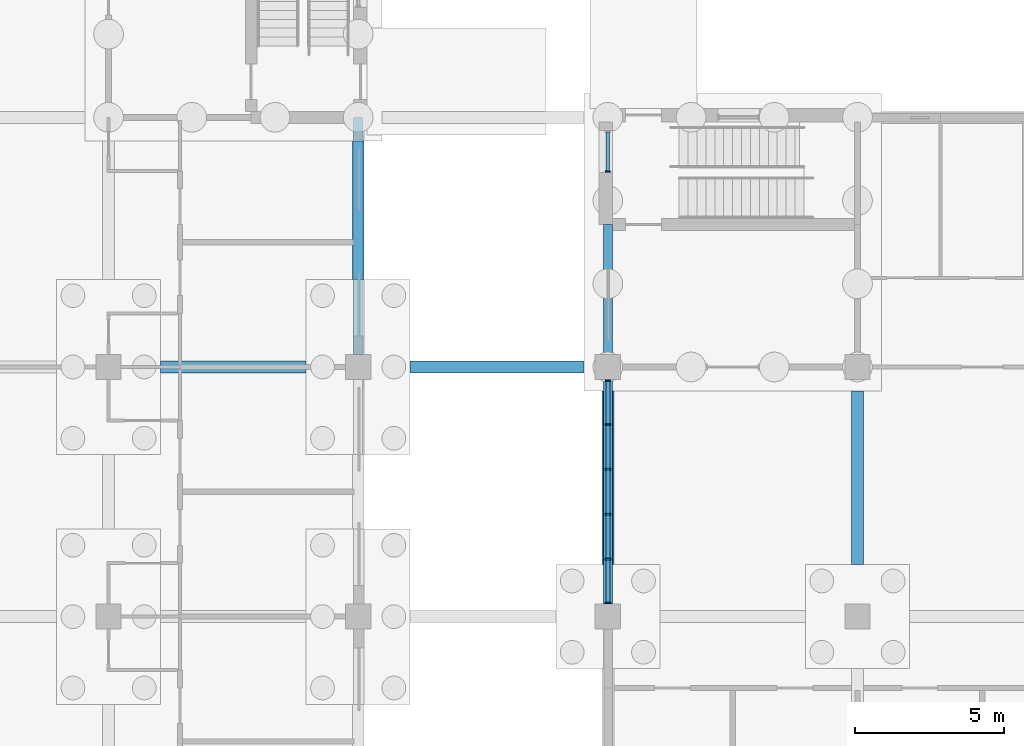
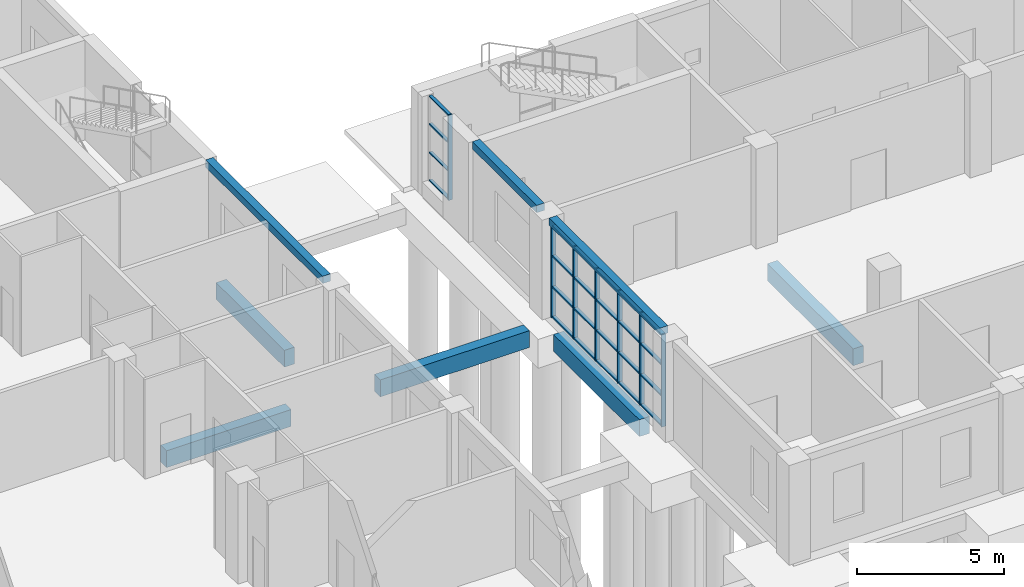
# One storey, part 44 of 138: 31 members, 8 beams, 2 elements without a shape of their own.
"""IFC4 building model written with IfcOpenShell, lengths in metres."""

from ifc_helpers import new_model, si_unit, direction, frame, origin, origin_2d, place, context, subcontext, project, spatial, rectangle, extrude, material, material_profile, profile_set, type_object, element, aggregate, save


model = new_model("IFC4")

# Units and contexts
model_context = context("Model", 3, precision=1e-05, world=origin(), true_north=direction((0.0, 1.0)))
body_context = subcontext(model_context, "Body", "Model", "MODEL_VIEW")
ifc_project = project(units=[si_unit("LENGTHUNIT", "METRE"), si_unit("AREAUNIT", "SQUARE_METRE"), si_unit("VOLUMEUNIT", "CUBIC_METRE"), si_unit("PLANEANGLEUNIT", "RADIAN"), si_unit("MASSUNIT", "GRAM", prefix="KILO")], contexts=[model_context])

# Site, building, storey
site_placement = place(None, origin())
site = spatial("IfcSite", under=ifc_project, at=site_placement, CompositionType="ELEMENT")
building_placement = place(site_placement, origin())
building = spatial("IfcBuilding", under=site, at=building_placement, Name="Yavir Park General Hospital", CompositionType="ELEMENT")
storey_placement = place(building_placement, origin())
storey = spatial("IfcBuildingStorey", under=building, at=storey_placement, Name="L00", CompositionType="ELEMENT", Elevation=0.0)

# Beams
ifc_material_1 = material(Name="Concrete C35/45", Category="concrete")
ifc_material_profile_1 = material_profile(ifc_material_1, rectangle(XDim=0.300048828125, YDim=0.300048828125, at=origin_2d()), Name="RC300x300")
ifc_profile_set_1 = profile_set([ifc_material_profile_1], Name="Concrete C35/45")
beam_type_1 = type_object("IfcBeamType", Name="RC BEAM 300x300 edge beam", PredefinedType="BEAM", material=ifc_profile_set_1)
beam_1_placement = place(storey_placement, frame((25.199951171875, 67.625, 3.989990234375), z_axis=(0.0, 1.0, 0.0), x_axis=(-1.0, 0.0, 0.0)))
element("IfcBeam", 1, at=beam_1_placement, inside=storey, type_object=beam_type_1, Name="B:EDGE:L00:038", PredefinedType="BEAM", context=body_context, shape_type="SweptSolid", body=[
    extrude(rectangle(XDim=0.300048828125, YDim=0.300048828125, at=origin_2d()), origin(), (0.0, 0.0, 1.0), 7.97509765625),
])
beam_2_placement = place(storey_placement, frame((33.60009765625, 59.22509765625, 3.989990234375), z_axis=(0.0, 1.0, 0.0), x_axis=(-1.0, 0.0, 0.0)))
element("IfcBeam", 2, at=beam_2_placement, inside=storey, type_object=beam_type_1, Name="B:EDGE:L00:043", PredefinedType="BEAM", context=body_context, shape_type="SweptSolid", body=[
    extrude(rectangle(XDim=0.300048828125, YDim=0.300048828125, at=origin_2d()), origin(), (0.0, 0.0, 1.0), 7.5498046875),
])
beam_3_placement = place(storey_placement, frame((33.60009765625, 67.625, 3.989990234375), z_axis=(0.0, 1.0, 0.0), x_axis=(-1.0, 0.0, 0.0)))
element("IfcBeam", 3, at=beam_3_placement, inside=storey, type_object=beam_type_1, Name="B:EDGE:L00:044", PredefinedType="BEAM", context=body_context, shape_type="SweptSolid", body=[
    extrude(rectangle(XDim=0.300048828125, YDim=0.300048828125, at=origin_2d()), origin(), (0.0, 0.0, 1.0), 4.375),
])
ifc_material_2 = material(Name="Concrete C35/45", Category="concrete")
ifc_material_profile_2 = material_profile(ifc_material_2, rectangle(XDim=0.39990234375, YDim=0.699951171875, at=origin_2d()), Name="RC400x700")
ifc_profile_set_2 = profile_set([ifc_material_profile_2], Name="Concrete C35/45")
beam_type_2 = type_object("IfcBeamType", Name="RC BEAM 400x700 ground beam", PredefinedType="BEAM", material=ifc_profile_set_2)
beam_4_placement = place(storey_placement, frame((18.550048828125, 67.199951171875, -0.800048828125), z_axis=(1.0, 0.0, 0.0), x_axis=(0.0, 1.0, 0.0)))
element("IfcBeam", 4, at=beam_4_placement, inside=storey, type_object=beam_type_2, Name="B:GND:L00:3J:L00:4J", PredefinedType="BEAM", context=body_context, shape_type="SweptSolid", body=[
    extrude(rectangle(XDim=0.39990234375, YDim=0.699951171875, at=origin_2d()), origin(), (0.0, 0.0, 1.0), 4.89990234375),
])
beam_5_placement = place(storey_placement, frame((26.949951171875, 67.199951171875, -0.800048828125), z_axis=(1.0, 0.0, 0.0), x_axis=(0.0, 1.0, 0.0)))
element("IfcBeam", 5, at=beam_5_placement, inside=storey, type_object=beam_type_2, Name="B:GND:L00:4J:L00:CS1", PredefinedType="BEAM", context=body_context, shape_type="SweptSolid", body=[
    extrude(rectangle(XDim=0.39990234375, YDim=0.699951171875, at=origin_2d()), origin(), (0.0, 0.0, 1.0), 5.85009765625),
])
beam_6_placement = place(storey_placement, frame((25.199951171875, 70.14990234375, -0.800048828125), z_axis=(0.0, 1.0, 0.0), x_axis=(-1.0, 0.0, 0.0)))
element("IfcBeam", 6, at=beam_6_placement, inside=storey, type_object=beam_type_2, Name="B:GND:L00:4J:L00:SW2", PredefinedType="BEAM", context=body_context, shape_type="SweptSolid", body=[
    extrude(rectangle(XDim=0.39990234375, YDim=0.699951171875, at=origin_2d()), origin(), (0.0, 0.0, 1.0), 4.650146484375),
])
for number, where, z_axis, x_axis, name in (
    (7, (33.60009765625, 60.550048828125, -0.800048828125), (0.0, 1.0, 0.0), (-1.0, 0.0, 0.0), "B:GND:L00:5H:L00:CS1"),
    (8, (42.0, 60.550048828125, -0.800048828125), (0.0, 1.0, 0.0), (-1.0, 0.0, 0.0), "B:GND:L00:6H:L00:CS1"),
):
    element("IfcBeam", number, at=place(storey_placement, frame(where, z_axis=z_axis, x_axis=x_axis)), inside=storey, type_object=beam_type_2, Name=name, PredefinedType="BEAM", context=body_context, shape_type="SweptSolid", body=[
        extrude(rectangle(XDim=0.39990234375, YDim=0.699951171875, at=origin_2d()), origin(), (0.0, 0.0, 1.0), 5.849853515625),
    ])

# Curtain wall, members
ifc_material_3 = material(Name="Aluminium curtain wall frame with insulated glazing", Category="aluminium")
curtain_wall_type_1 = type_object("IfcCurtainWallType", Name="Reception glazing, 3840 high, 1400 module", PredefinedType="NOTDEFINED", material=ifc_material_3)
curtain_wall_1_placement = place(storey_placement, origin())
curtain_wall_1 = element("IfcCurtainWall", 9, at=curtain_wall_1_placement, inside=storey, type_object=curtain_wall_type_1, Name="CW8 L00-045", PredefinedType="NOTDEFINED")
ifc_material_4 = material(Name="Aluminium", Category="aluminium")
ifc_material_profile_3 = material_profile(ifc_material_4, rectangle(XDim=0.179931640625, YDim=0.06005859375, at=origin_2d()), Name="AL 60x180")
ifc_profile_set_3 = profile_set([ifc_material_profile_3], Name="Aluminium")
member_type_1 = type_object("IfcMemberType", Name="Reception glazing, 3840 high mullion 60 x 180", PredefinedType="MULLION", material=ifc_profile_set_3)
member_1_placement = place(storey_placement, frame((33.60009765625, 59.2548828125, 0.0), z_axis=(0.0, 0.0, 1.0), x_axis=(-1.0, 0.0, 0.0)))
member_1 = element("IfcMember", 10, at=member_1_placement, type_object=member_type_1, Name="CW8 mullion 1", PredefinedType="MULLION", context=body_context, shape_type="SweptSolid", body=[
    extrude(rectangle(XDim=0.179931640625, YDim=0.06005859375, at=origin_2d()), origin(), (0.0, 0.0, 1.0), 3.840087890625),
])
member_2_placement = place(storey_placement, frame((33.60009765625, 60.735107421875, 0.0), z_axis=(0.0, 0.0, 1.0), x_axis=(-1.0, 0.0, 0.0)))
member_2 = element("IfcMember", 11, at=member_2_placement, type_object=member_type_1, Name="CW8 mullion 2", PredefinedType="MULLION", context=body_context, shape_type="SweptSolid", body=[
    extrude(rectangle(XDim=0.179931640625, YDim=0.06005859375, at=origin_2d()), origin(), (0.0, 0.0, 1.0), 3.840087890625),
])
member_3_placement = place(storey_placement, frame((33.60009765625, 62.2451171875, 0.0), z_axis=(0.0, 0.0, 1.0), x_axis=(-1.0, 0.0, 0.0)))
member_3 = element("IfcMember", 12, at=member_3_placement, type_object=member_type_1, Name="CW8 mullion 3", PredefinedType="MULLION", context=body_context, shape_type="SweptSolid", body=[
    extrude(rectangle(XDim=0.179931640625, YDim=0.06005859375, at=origin_2d()), origin(), (0.0, 0.0, 1.0), 3.840087890625),
])
member_4_placement = place(storey_placement, frame((33.60009765625, 63.7548828125, 0.0), z_axis=(0.0, 0.0, 1.0), x_axis=(-1.0, 0.0, 0.0)))
member_4 = element("IfcMember", 13, at=member_4_placement, type_object=member_type_1, Name="CW8 mullion 4", PredefinedType="MULLION", context=body_context, shape_type="SweptSolid", body=[
    extrude(rectangle(XDim=0.179931640625, YDim=0.06005859375, at=origin_2d()), origin(), (0.0, 0.0, 1.0), 3.840087890625),
])
member_5_placement = place(storey_placement, frame((33.60009765625, 65.264892578125, 0.0), z_axis=(0.0, 0.0, 1.0), x_axis=(-1.0, 0.0, 0.0)))
member_5 = element("IfcMember", 14, at=member_5_placement, type_object=member_type_1, Name="CW8 mullion 5", PredefinedType="MULLION", context=body_context, shape_type="SweptSolid", body=[
    extrude(rectangle(XDim=0.179931640625, YDim=0.06005859375, at=origin_2d()), origin(), (0.0, 0.0, 1.0), 3.840087890625),
])
member_6_placement = place(storey_placement, frame((33.60009765625, 66.7451171875, 0.0), z_axis=(0.0, 0.0, 1.0), x_axis=(-1.0, 0.0, 0.0)))
member_6 = element("IfcMember", 15, at=member_6_placement, type_object=member_type_1, Name="CW8 mullion 6", PredefinedType="MULLION", context=body_context, shape_type="SweptSolid", body=[
    extrude(rectangle(XDim=0.179931640625, YDim=0.06005859375, at=origin_2d()), origin(), (0.0, 0.0, 1.0), 3.840087890625),
])
ifc_material_5 = material(Name="Aluminium", Category="aluminium")
ifc_material_profile_4 = material_profile(ifc_material_5, rectangle(XDim=0.139892578125, YDim=0.06005859375, at=origin_2d()), Name="AL 140x60")
ifc_profile_set_4 = profile_set([ifc_material_profile_4], Name="Aluminium")
member_type_2 = type_object("IfcMemberType", Name="Reception glazing, 3840 high transom 60 x 140", PredefinedType="MULLION", material=ifc_profile_set_4)
member_7_placement = place(storey_placement, frame((33.60009765625, 59.284912109375, 0.030029296875), z_axis=(0.0, 1.0, 0.0), x_axis=(-1.0, 0.0, 0.0)))
member_7 = element("IfcMember", 16, at=member_7_placement, type_object=member_type_2, Name="CW8 transom 1.1", PredefinedType="MULLION", context=body_context, shape_type="SweptSolid", body=[
    extrude(rectangle(XDim=0.139892578125, YDim=0.06005859375, at=origin_2d()), origin(), (0.0, 0.0, 1.0), 1.420166015625),
])
member_8_placement = place(storey_placement, frame((33.60009765625, 59.284912109375, 1.280029296875), z_axis=(0.0, 1.0, 0.0), x_axis=(-1.0, 0.0, 0.0)))
member_8 = element("IfcMember", 17, at=member_8_placement, type_object=member_type_2, Name="CW8 transom 1.2", PredefinedType="MULLION", context=body_context, shape_type="SweptSolid", body=[
    extrude(rectangle(XDim=0.139892578125, YDim=0.06005859375, at=origin_2d()), origin(), (0.0, 0.0, 1.0), 1.420166015625),
])
member_9_placement = place(storey_placement, frame((33.60009765625, 59.284912109375, 2.56005859375), z_axis=(0.0, 1.0, 0.0), x_axis=(-1.0, 0.0, 0.0)))
member_9 = element("IfcMember", 18, at=member_9_placement, type_object=member_type_2, Name="CW8 transom 1.3", PredefinedType="MULLION", context=body_context, shape_type="SweptSolid", body=[
    extrude(rectangle(XDim=0.139892578125, YDim=0.06005859375, at=origin_2d()), origin(), (0.0, 0.0, 1.0), 1.420166015625),
])
member_10_placement = place(storey_placement, frame((33.60009765625, 59.284912109375, 3.81005859375), z_axis=(0.0, 1.0, 0.0), x_axis=(-1.0, 0.0, 0.0)))
member_10 = element("IfcMember", 19, at=member_10_placement, type_object=member_type_2, Name="CW8 transom 1.4", PredefinedType="MULLION", context=body_context, shape_type="SweptSolid", body=[
    extrude(rectangle(XDim=0.139892578125, YDim=0.06005859375, at=origin_2d()), origin(), (0.0, 0.0, 1.0), 1.420166015625),
])
member_11_placement = place(storey_placement, frame((33.60009765625, 60.764892578125, 0.030029296875), z_axis=(0.0, 1.0, 0.0), x_axis=(-1.0, 0.0, 0.0)))
member_11 = element("IfcMember", 20, at=member_11_placement, type_object=member_type_2, Name="CW8 transom 2.1", PredefinedType="MULLION", context=body_context, shape_type="SweptSolid", body=[
    extrude(rectangle(XDim=0.139892578125, YDim=0.06005859375, at=origin_2d()), origin(), (0.0, 0.0, 1.0), 1.4501953125),
])
member_12_placement = place(storey_placement, frame((33.60009765625, 60.764892578125, 1.280029296875), z_axis=(0.0, 1.0, 0.0), x_axis=(-1.0, 0.0, 0.0)))
member_12 = element("IfcMember", 21, at=member_12_placement, type_object=member_type_2, Name="CW8 transom 2.2", PredefinedType="MULLION", context=body_context, shape_type="SweptSolid", body=[
    extrude(rectangle(XDim=0.139892578125, YDim=0.06005859375, at=origin_2d()), origin(), (0.0, 0.0, 1.0), 1.4501953125),
])
member_13_placement = place(storey_placement, frame((33.60009765625, 60.764892578125, 2.56005859375), z_axis=(0.0, 1.0, 0.0), x_axis=(-1.0, 0.0, 0.0)))
member_13 = element("IfcMember", 22, at=member_13_placement, type_object=member_type_2, Name="CW8 transom 2.3", PredefinedType="MULLION", context=body_context, shape_type="SweptSolid", body=[
    extrude(rectangle(XDim=0.139892578125, YDim=0.06005859375, at=origin_2d()), origin(), (0.0, 0.0, 1.0), 1.4501953125),
])
member_14_placement = place(storey_placement, frame((33.60009765625, 60.764892578125, 3.81005859375), z_axis=(0.0, 1.0, 0.0), x_axis=(-1.0, 0.0, 0.0)))
member_14 = element("IfcMember", 23, at=member_14_placement, type_object=member_type_2, Name="CW8 transom 2.4", PredefinedType="MULLION", context=body_context, shape_type="SweptSolid", body=[
    extrude(rectangle(XDim=0.139892578125, YDim=0.06005859375, at=origin_2d()), origin(), (0.0, 0.0, 1.0), 1.4501953125),
])
member_15_placement = place(storey_placement, frame((33.60009765625, 62.27490234375, 0.030029296875), z_axis=(0.0, 1.0, 0.0), x_axis=(-1.0, 0.0, 0.0)))
member_15 = element("IfcMember", 24, at=member_15_placement, type_object=member_type_2, Name="CW8 transom 3.1", PredefinedType="MULLION", context=body_context, shape_type="SweptSolid", body=[
    extrude(rectangle(XDim=0.139892578125, YDim=0.06005859375, at=origin_2d()), origin(), (0.0, 0.0, 1.0), 1.4501953125),
])
member_16_placement = place(storey_placement, frame((33.60009765625, 62.27490234375, 1.280029296875), z_axis=(0.0, 1.0, 0.0), x_axis=(-1.0, 0.0, 0.0)))
member_16 = element("IfcMember", 25, at=member_16_placement, type_object=member_type_2, Name="CW8 transom 3.2", PredefinedType="MULLION", context=body_context, shape_type="SweptSolid", body=[
    extrude(rectangle(XDim=0.139892578125, YDim=0.06005859375, at=origin_2d()), origin(), (0.0, 0.0, 1.0), 1.4501953125),
])
member_17_placement = place(storey_placement, frame((33.60009765625, 62.27490234375, 2.56005859375), z_axis=(0.0, 1.0, 0.0), x_axis=(-1.0, 0.0, 0.0)))
member_17 = element("IfcMember", 26, at=member_17_placement, type_object=member_type_2, Name="CW8 transom 3.3", PredefinedType="MULLION", context=body_context, shape_type="SweptSolid", body=[
    extrude(rectangle(XDim=0.139892578125, YDim=0.06005859375, at=origin_2d()), origin(), (0.0, 0.0, 1.0), 1.4501953125),
])
member_18_placement = place(storey_placement, frame((33.60009765625, 62.27490234375, 3.81005859375), z_axis=(0.0, 1.0, 0.0), x_axis=(-1.0, 0.0, 0.0)))
member_18 = element("IfcMember", 27, at=member_18_placement, type_object=member_type_2, Name="CW8 transom 3.4", PredefinedType="MULLION", context=body_context, shape_type="SweptSolid", body=[
    extrude(rectangle(XDim=0.139892578125, YDim=0.06005859375, at=origin_2d()), origin(), (0.0, 0.0, 1.0), 1.4501953125),
])
member_19_placement = place(storey_placement, frame((33.60009765625, 63.784912109375, 0.030029296875), z_axis=(0.0, 1.0, 0.0), x_axis=(-1.0, 0.0, 0.0)))
member_19 = element("IfcMember", 28, at=member_19_placement, type_object=member_type_2, Name="CW8 transom 4.1", PredefinedType="MULLION", context=body_context, shape_type="SweptSolid", body=[
    extrude(rectangle(XDim=0.139892578125, YDim=0.06005859375, at=origin_2d()), origin(), (0.0, 0.0, 1.0), 1.4501953125),
])
member_20_placement = place(storey_placement, frame((33.60009765625, 63.784912109375, 1.280029296875), z_axis=(0.0, 1.0, 0.0), x_axis=(-1.0, 0.0, 0.0)))
member_20 = element("IfcMember", 29, at=member_20_placement, type_object=member_type_2, Name="CW8 transom 4.2", PredefinedType="MULLION", context=body_context, shape_type="SweptSolid", body=[
    extrude(rectangle(XDim=0.139892578125, YDim=0.06005859375, at=origin_2d()), origin(), (0.0, 0.0, 1.0), 1.4501953125),
])
member_21_placement = place(storey_placement, frame((33.60009765625, 63.784912109375, 2.56005859375), z_axis=(0.0, 1.0, 0.0), x_axis=(-1.0, 0.0, 0.0)))
member_21 = element("IfcMember", 30, at=member_21_placement, type_object=member_type_2, Name="CW8 transom 4.3", PredefinedType="MULLION", context=body_context, shape_type="SweptSolid", body=[
    extrude(rectangle(XDim=0.139892578125, YDim=0.06005859375, at=origin_2d()), origin(), (0.0, 0.0, 1.0), 1.4501953125),
])
member_22_placement = place(storey_placement, frame((33.60009765625, 63.784912109375, 3.81005859375), z_axis=(0.0, 1.0, 0.0), x_axis=(-1.0, 0.0, 0.0)))
member_22 = element("IfcMember", 31, at=member_22_placement, type_object=member_type_2, Name="CW8 transom 4.4", PredefinedType="MULLION", context=body_context, shape_type="SweptSolid", body=[
    extrude(rectangle(XDim=0.139892578125, YDim=0.06005859375, at=origin_2d()), origin(), (0.0, 0.0, 1.0), 1.4501953125),
])
member_23_placement = place(storey_placement, frame((33.60009765625, 65.294921875, 0.030029296875), z_axis=(0.0, 1.0, 0.0), x_axis=(-1.0, 0.0, 0.0)))
member_23 = element("IfcMember", 32, at=member_23_placement, type_object=member_type_2, Name="CW8 transom 5.1", PredefinedType="MULLION", context=body_context, shape_type="SweptSolid", body=[
    extrude(rectangle(XDim=0.139892578125, YDim=0.06005859375, at=origin_2d()), origin(), (0.0, 0.0, 1.0), 1.420166015625),
])
member_24_placement = place(storey_placement, frame((33.60009765625, 65.294921875, 1.280029296875), z_axis=(0.0, 1.0, 0.0), x_axis=(-1.0, 0.0, 0.0)))
member_24 = element("IfcMember", 33, at=member_24_placement, type_object=member_type_2, Name="CW8 transom 5.2", PredefinedType="MULLION", context=body_context, shape_type="SweptSolid", body=[
    extrude(rectangle(XDim=0.139892578125, YDim=0.06005859375, at=origin_2d()), origin(), (0.0, 0.0, 1.0), 1.420166015625),
])
member_25_placement = place(storey_placement, frame((33.60009765625, 65.294921875, 2.56005859375), z_axis=(0.0, 1.0, 0.0), x_axis=(-1.0, 0.0, 0.0)))
member_25 = element("IfcMember", 34, at=member_25_placement, type_object=member_type_2, Name="CW8 transom 5.3", PredefinedType="MULLION", context=body_context, shape_type="SweptSolid", body=[
    extrude(rectangle(XDim=0.139892578125, YDim=0.06005859375, at=origin_2d()), origin(), (0.0, 0.0, 1.0), 1.420166015625),
])
member_26_placement = place(storey_placement, frame((33.60009765625, 65.294921875, 3.81005859375), z_axis=(0.0, 1.0, 0.0), x_axis=(-1.0, 0.0, 0.0)))
member_26 = element("IfcMember", 35, at=member_26_placement, type_object=member_type_2, Name="CW8 transom 5.4", PredefinedType="MULLION", context=body_context, shape_type="SweptSolid", body=[
    extrude(rectangle(XDim=0.139892578125, YDim=0.06005859375, at=origin_2d()), origin(), (0.0, 0.0, 1.0), 1.420166015625),
])
aggregate(curtain_wall_1, [member_1, member_2, member_3, member_4, member_5, member_6, member_7, member_8, member_9, member_10, member_11, member_12, member_13, member_14, member_15, member_16, member_17, member_18, member_19, member_20, member_21, member_22, member_23, member_24, member_25, member_26])

ifc_material_6 = material(Name="Aluminium curtain wall frame with insulated glazing", Category="aluminium")
curtain_wall_type_2 = type_object("IfcCurtainWallType", Name="Stair light slot, ground floor, 3540 high, 1400 module", PredefinedType="NOTDEFINED", material=ifc_material_6)
curtain_wall_2_placement = place(storey_placement, origin())
curtain_wall_2 = element("IfcCurtainWall", 36, at=curtain_wall_2_placement, inside=storey, type_object=curtain_wall_type_2, Name="CW19 L00-046", PredefinedType="NOTDEFINED")
ifc_material_7 = material(Name="Aluminium", Category="aluminium")
ifc_material_profile_5 = material_profile(ifc_material_7, rectangle(XDim=0.159912109375, YDim=0.050048828125, at=origin_2d()), Name="AL 50x160")
ifc_profile_set_5 = profile_set([ifc_material_profile_5], Name="Aluminium")
member_type_3 = type_object("IfcMemberType", Name="Stair light slot, ground floor, 3540 high mullion 50 x 160", PredefinedType="MULLION", material=ifc_profile_set_5)
member_27_placement = place(storey_placement, frame((33.60009765625, 73.77490234375, 0.60009765625), z_axis=(0.0, 0.0, 1.0), x_axis=(-1.0, 0.0, 0.0)))
member_27 = element("IfcMember", 37, at=member_27_placement, type_object=member_type_3, Name="CW19 mullion 1", PredefinedType="MULLION", context=body_context, shape_type="SweptSolid", body=[
    extrude(rectangle(XDim=0.159912109375, YDim=0.050048828125, at=origin_2d()), origin(), (0.0, 0.0, 1.0), 3.539794921875),
])
ifc_material_8 = material(Name="Aluminium", Category="aluminium")
ifc_material_profile_6 = material_profile(ifc_material_8, rectangle(XDim=0.1201171875, YDim=0.050048828125, at=origin_2d()), Name="AL 120x50")
ifc_profile_set_6 = profile_set([ifc_material_profile_6], Name="Aluminium")
member_type_4 = type_object("IfcMemberType", Name="Stair light slot, ground floor, 3540 high transom 50 x 120", PredefinedType="MULLION", material=ifc_profile_set_6)
member_28_placement = place(storey_placement, frame((33.60009765625, 73.800048828125, 0.625), z_axis=(0.0, 1.0, 0.0), x_axis=(-1.0, 0.0, 0.0)))
member_28 = element("IfcMember", 38, at=member_28_placement, type_object=member_type_4, Name="CW19 transom 1.1", PredefinedType="MULLION", context=body_context, shape_type="SweptSolid", body=[
    extrude(rectangle(XDim=0.1201171875, YDim=0.050048828125, at=origin_2d()), origin(), (0.0, 0.0, 1.0), 1.300048828125),
])
member_29_placement = place(storey_placement, frame((33.60009765625, 73.800048828125, 1.780029296875), z_axis=(0.0, 1.0, 0.0), x_axis=(-1.0, 0.0, 0.0)))
member_29 = element("IfcMember", 39, at=member_29_placement, type_object=member_type_4, Name="CW19 transom 1.2", PredefinedType="MULLION", context=body_context, shape_type="SweptSolid", body=[
    extrude(rectangle(XDim=0.1201171875, YDim=0.050048828125, at=origin_2d()), origin(), (0.0, 0.0, 1.0), 1.300048828125),
])
member_30_placement = place(storey_placement, frame((33.60009765625, 73.800048828125, 2.9599609375), z_axis=(0.0, 1.0, 0.0), x_axis=(-1.0, 0.0, 0.0)))
member_30 = element("IfcMember", 40, at=member_30_placement, type_object=member_type_4, Name="CW19 transom 1.3", PredefinedType="MULLION", context=body_context, shape_type="SweptSolid", body=[
    extrude(rectangle(XDim=0.1201171875, YDim=0.050048828125, at=origin_2d()), origin(), (0.0, 0.0, 1.0), 1.300048828125),
])
member_31_placement = place(storey_placement, frame((33.60009765625, 73.800048828125, 4.114990234375), z_axis=(0.0, 1.0, 0.0), x_axis=(-1.0, 0.0, 0.0)))
member_31 = element("IfcMember", 41, at=member_31_placement, type_object=member_type_4, Name="CW19 transom 1.4", PredefinedType="MULLION", context=body_context, shape_type="SweptSolid", body=[
    extrude(rectangle(XDim=0.1201171875, YDim=0.050048828125, at=origin_2d()), origin(), (0.0, 0.0, 1.0), 1.300048828125),
])
aggregate(curtain_wall_2, [member_27, member_28, member_29, member_30, member_31])

save(model, "model.ifc")
